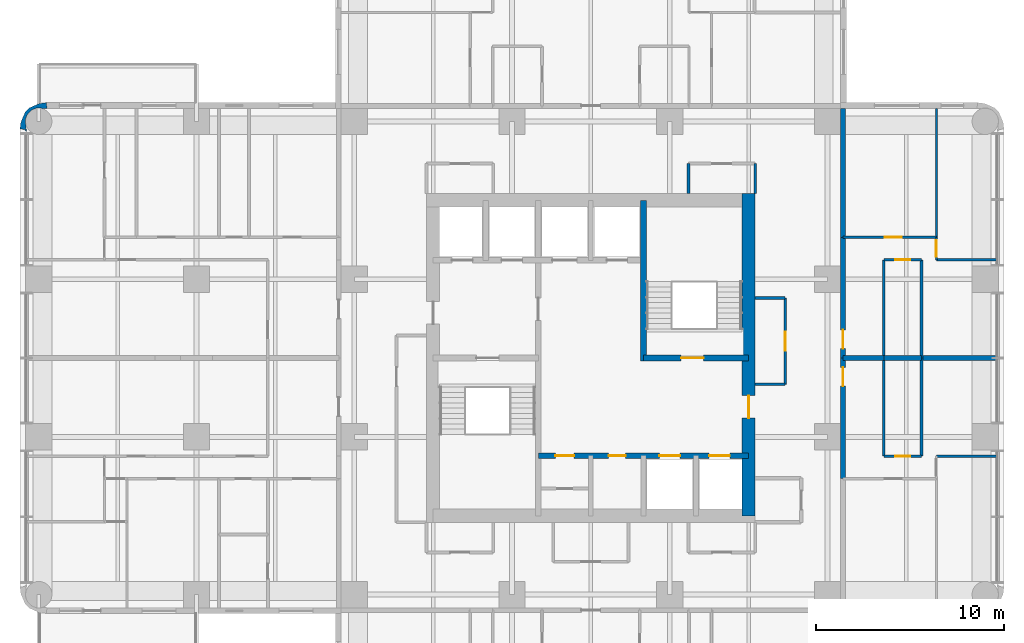
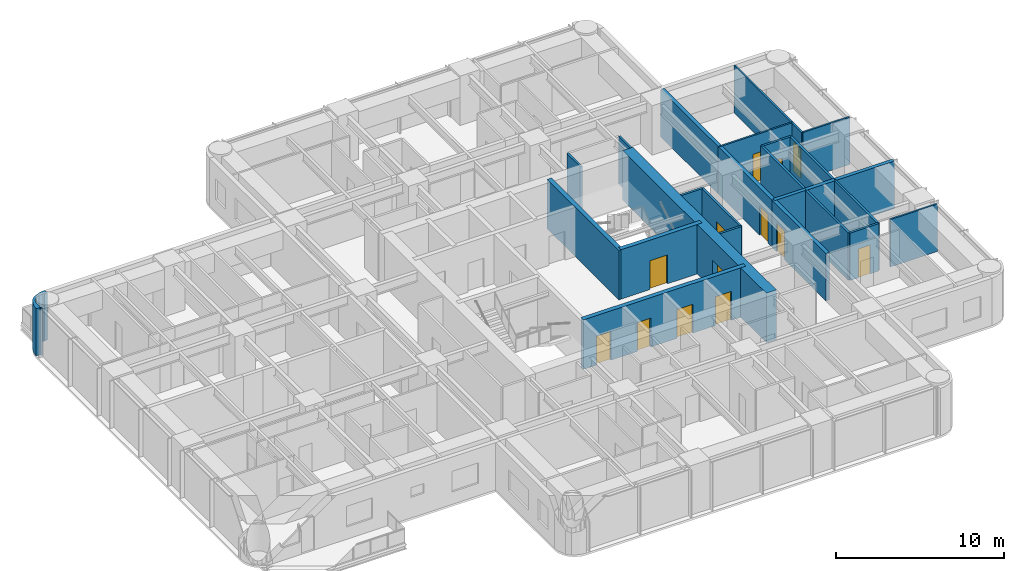
# One storey, part 8 of 11: 27 walls, 13 doors, 13 openings.
"""IFC4 building model written with IfcOpenShell, lengths in metres."""

import ifcopenshell
import ifcopenshell.guid

model = None  # the IFC model being written
_history = None  # IfcOwnerHistory: only IFC2X3 demands one
_inside = {}  # id of a spatial element -> (the spatial element, [elements in it])
_under = {}  # id of a project, library or spatial element -> (it, [spatial elements below it])
_declared = {}  # id of a project -> (the project, [libraries it declares])
_typed = {}  # id of a type object -> (the type object, [elements of that type])
_made_of = {}  # id of a material, layer set ... -> (it, [elements and type objects made of it])


def new_model(schema):
    """Start an empty IFC model of exactly this schema.

    Asked for "IFC4X3", IfcOpenShell would pick the latest addendum, in which some entities
    have other attributes; the version numbers below select the first issue.
    IFC2X3 requires an IfcOwnerHistory on every rooted entity: one is made here for all.
    """
    global model, _history
    if schema == "IFC4X3":
        model = ifcopenshell.file(schema_version=(4, 3, 0, 0))
    else:
        model = ifcopenshell.file(schema=schema)
    _inside.clear()
    _under.clear()
    _declared.clear()
    _typed.clear()
    _made_of.clear()
    _history = None
    if model.schema == "IFC2X3":
        org = make("IfcOrganization", Name="unknown")
        user = make(
            "IfcPersonAndOrganization",
            ThePerson=make("IfcPerson", FamilyName="unknown"),
            TheOrganization=org,
        )
        app = make(
            "IfcApplication",
            ApplicationDeveloper=org,
            Version="unknown",
            ApplicationFullName="unknown",
            ApplicationIdentifier="unknown",
        )
        _history = make(
            "IfcOwnerHistory",
            OwningUser=user,
            OwningApplication=app,
            ChangeAction="ADDED",
            CreationDate=0,
        )
    return model


def make(cls, **values):
    """One entity of the class cls with the attributes given. An attribute that is None is left unset."""
    return model.create_entity(
        cls, **{name: value for name, value in values.items() if value is not None}
    )


def rooted(cls, **values):
    """An entity with a GlobalId (a new one), such as an element, a storey or a relation."""
    return make(cls, GlobalId=ifcopenshell.guid.new(), OwnerHistory=_history, **values)


def si_unit(unit_type, name, prefix=None):
    """IfcSIUnit, for example si_unit("LENGTHUNIT", "METRE", prefix="MILLI")."""
    return make("IfcSIUnit", UnitType=unit_type, Prefix=prefix, Name=name)


def assignment(units):
    """IfcUnitAssignment: the units of a project."""
    return None if units is None else make("IfcUnitAssignment", Units=units)


def point(xyz):
    """IfcCartesianPoint."""
    return None if xyz is None else make("IfcCartesianPoint", Coordinates=xyz)


def direction(xyz):
    """IfcDirection."""
    return None if xyz is None else make("IfcDirection", DirectionRatios=xyz)


def frame(location, z_axis=None, x_axis=None):
    """IfcAxis2Placement3D, a coordinate frame: its origin and axes. An axis left out is left unset."""
    return make(
        "IfcAxis2Placement3D",
        Location=point(location),
        Axis=direction(z_axis),
        RefDirection=direction(x_axis),
    )


def frame_2d(location, x_axis=None):
    """IfcAxis2Placement2D, a coordinate frame in the plane: its origin and x axis."""
    return make(
        "IfcAxis2Placement2D", Location=point(location), RefDirection=direction(x_axis)
    )


def origin():
    """The frame at (0, 0, 0) with its axes left unset."""
    return frame((0.0, 0.0, 0.0))


def place(relative_to, where):
    """IfcLocalPlacement: puts the frame where relative to a parent placement (None: the world)."""
    return make(
        "IfcLocalPlacement", PlacementRelTo=relative_to, RelativePlacement=where
    )


def context(
    kind, dimensions, precision=None, world=None, true_north=None, identifier=None
):
    """IfcGeometricRepresentationContext, for example the 3D "Model" context."""
    return make(
        "IfcGeometricRepresentationContext",
        ContextIdentifier=identifier,
        ContextType=kind,
        CoordinateSpaceDimension=dimensions,
        Precision=precision,
        WorldCoordinateSystem=world,
        TrueNorth=true_north,
    )


def subcontext(parent, identifier, kind, view, scale=None):
    """IfcGeometricRepresentationSubContext, for example "Body" below "Model"."""
    return make(
        "IfcGeometricRepresentationSubContext",
        ContextIdentifier=identifier,
        ContextType=kind,
        ParentContext=parent,
        TargetScale=scale,
        TargetView=view,
    )


def project(units=None, contexts=None):
    """IfcProject with its units and contexts."""
    return rooted(
        "IfcProject",
        Name="project",
        RepresentationContexts=contexts,
        UnitsInContext=assignment(units),
    )


def spatial(cls, under=None, at=None, **own):
    """A site, building, storey or space (cls), placed at a placement, below another one or the project."""
    s = rooted(cls, ObjectPlacement=at, **own)
    if under is not None:
        _under.setdefault(under.id(), (under, []))[1].append(s)
    return s


def polyline(points):
    """IfcPolyline through the points."""
    return make("IfcPolyline", Points=[point(p) for p in points])


def profile(cls, at=None, kind="AREA", **sizes):
    """A parametric profile (cls). Its sizes go by their IFC names, for example OverallWidth=200.0."""
    return make(cls, ProfileType=kind, Position=at, **sizes)


def rectangle(**sizes):
    """IfcRectangleProfileDef."""
    return profile("IfcRectangleProfileDef", **sizes)


def outline(outer, holes=None, kind="AREA"):
    """IfcArbitraryClosedProfileDef: a profile drawn as a closed curve; with holes, ...WithVoids."""
    if holes is None:
        return make("IfcArbitraryClosedProfileDef", ProfileType=kind, OuterCurve=outer)
    return make(
        "IfcArbitraryProfileDefWithVoids",
        ProfileType=kind,
        OuterCurve=outer,
        InnerCurves=holes,
    )


def extrude(swept, where, along, depth):
    """IfcExtrudedAreaSolid: the profile swept, set in the frame where, extruded along a direction by depth."""
    return make(
        "IfcExtrudedAreaSolid",
        SweptArea=swept,
        Position=where,
        ExtrudedDirection=direction(along),
        Depth=depth,
    )


def shape(context_of_items, identifier, shape_type, items):
    """IfcShapeRepresentation: the items that make up one representation, for example the "Body"."""
    return make(
        "IfcShapeRepresentation",
        ContextOfItems=context_of_items,
        RepresentationIdentifier=identifier,
        RepresentationType=shape_type,
        Items=items,
    )


def material(Name=None, Category=None):
    """IfcMaterial."""
    return make("IfcMaterial", Name=Name, Category=Category)


def layer(
    of_material, thickness, ventilated=None, Name=None, Category=None, Priority=None
):
    """IfcMaterialLayer: one layer of a wall or slab, of a material (None: an air gap)."""
    return make(
        "IfcMaterialLayer",
        Material=of_material,
        LayerThickness=thickness,
        IsVentilated=ventilated,
        Name=Name,
        Category=Category,
        Priority=Priority,
    )


def layer_set(layers, Name=None):
    """IfcMaterialLayerSet."""
    return make("IfcMaterialLayerSet", MaterialLayers=layers, LayerSetName=Name)


def made_of(thing, what):
    """Note that an element or type object is made of a material, layer set ...; save() writes the relation."""
    if what is not None:
        _made_of.setdefault(what.id(), (what, []))[1].append(thing)
    return thing


def type_object(cls, material=None, **own):
    """A type object (cls), such as IfcWallType, which elements share."""
    return made_of(rooted(cls, **own), material)


def element(
    cls,
    number,
    at=None,
    inside=None,
    cuts=None,
    type_object=None,
    material=None,
    context=None,
    identifier="Body",
    shape_type=None,
    held_by="IfcProductDefinitionShape",
    body=None,
    shapes=None,
    **own,
):
    """One element of the class cls, such as IfcWall. Its Tag is "e" and its number.

    at: its placement. inside: the storey or other place that contains it. cuts: it is an
    opening in that element (IfcRelVoidsElement). A single representation is given by context,
    identifier, shape_type and body (its items); several are given by shapes. held_by: the class
    of the entity that holds the representations. save() writes the other relations.
    """
    e = rooted(cls, Tag="e%d" % number, ObjectPlacement=at, **own)
    if body is not None:
        shapes = [shape(context, identifier, shape_type, body)]
    if shapes is not None:
        e.Representation = make(held_by, Representations=shapes)
    if inside is not None:
        _inside.setdefault(inside.id(), (inside, []))[1].append(e)
    if cuts is not None:
        rooted(
            "IfcRelVoidsElement", RelatingBuildingElement=cuts, RelatedOpeningElement=e
        )
    if type_object is not None:
        _typed.setdefault(type_object.id(), (type_object, []))[1].append(e)
    return made_of(e, material)


def fill(opening, filler):
    """IfcRelFillsElement: the door or window that sits in an opening."""
    return rooted(
        "IfcRelFillsElement",
        RelatingOpeningElement=opening,
        RelatedBuildingElement=filler,
    )


def aggregate(whole, parts):
    """IfcRelAggregates: a whole, such as a stair, and the parts it consists of."""
    return rooted("IfcRelAggregates", RelatingObject=whole, RelatedObjects=parts)


def save(model, path):
    """Write the relations noted so far, then the file.

    IfcRelAggregates (storeys below a building ...), IfcRelContainedInSpatialStructure (elements
    in a storey), IfcRelDefinesByType, IfcRelAssociatesMaterial and IfcRelDeclares: one each for
    every whole, place, type object, material and project.
    """
    for whole, parts in _under.values():
        aggregate(whole, parts)
    for where, things in _inside.values():
        rooted(
            "IfcRelContainedInSpatialStructure",
            RelatedElements=things,
            RelatingStructure=where,
        )
    for kind, things in _typed.values():
        rooted("IfcRelDefinesByType", RelatedObjects=things, RelatingType=kind)
    for what, things in _made_of.values():
        rooted("IfcRelAssociatesMaterial", RelatedObjects=things, RelatingMaterial=what)
    for by, libraries in _declared.values():
        rooted("IfcRelDeclares", RelatingContext=by, RelatedDefinitions=libraries)
    model.write(path)


model = new_model("IFC4")

# Units and contexts
model_context = context("Model", 3, precision=1e-05, world=origin(), true_north=direction((0.0, 1.0)))
body_context = subcontext(model_context, "Body", "Model", "MODEL_VIEW")
ifc_project = project(units=[si_unit("LENGTHUNIT", "METRE"), si_unit("AREAUNIT", "SQUARE_METRE"), si_unit("VOLUMEUNIT", "CUBIC_METRE"), si_unit("PLANEANGLEUNIT", "RADIAN"), si_unit("MASSUNIT", "GRAM", prefix="KILO")], contexts=[model_context])

# Site, building, storey
site_placement = place(None, origin())
site = spatial("IfcSite", under=ifc_project, at=site_placement, CompositionType="ELEMENT")
building_placement = place(site_placement, origin())
building = spatial("IfcBuilding", under=site, at=building_placement, Name="Torre Alcanfor", CompositionType="ELEMENT")
storey_placement = place(building_placement, frame((0.0, 0.0, 197.699951171875)))
storey = spatial("IfcBuildingStorey", under=building, at=storey_placement, Name="L51", CompositionType="ELEMENT", Elevation=197.699951171875)

# Wall, opening, door
ifc_material_1 = material(Name="Concrete block masonry, hollow blocks NMX-C-404 9 MPa", Category="masonry")
ifc_layer_1 = layer(ifc_material_1, 0.25)
ifc_layer_set_1 = layer_set([ifc_layer_1], Name="Apartment entrance wall 250 EI 60")
wall_type_1 = type_object("IfcWallType", Name="Apartment entrance wall 250 EI 60", PredefinedType="PARTITIONING", material=ifc_layer_set_1)
wall_1_placement = place(storey_placement, frame((42.824951171875, 35.8291015625, 0.0), z_axis=(0.0, 0.0, 1.0), x_axis=(0.0, -1.0, 0.0)))
wall_1 = element("IfcWall", 1, at=wall_1_placement, inside=storey, type_object=wall_type_1, Name="Partition L51-CORR / L51-E1-LIVING", PredefinedType="PARTITIONING", context=body_context, shape_type="SweptSolid", body=[
    extrude(rectangle(XDim=6.42919921875, YDim=0.25, at=frame_2d((3.214599609375, 0.0))), origin(), (0.0, 0.0, 1.0), 3.449951171875),
])
opening_1_placement = place(wall_1_placement, frame((4.928955078125, 0.0, 0.0)))
opening_1 = element("IfcOpeningElement", 2, at=opening_1_placement, cuts=wall_1, Name="Opening D-A1", PredefinedType="OPENING", context=body_context, shape_type="SweptSolid", body=[
    extrude(rectangle(XDim=1.0, YDim=2.10009765625, at=frame_2d((0.5, 1.050048828125))), frame((0.0, 0.135009765625, 0.0), z_axis=(0.0, -1.0, 0.0), x_axis=(1.0, 0.0, 0.0)), (0.0, 0.0, 1.0), 0.27001953125),
])
ifc_material_2 = material(Name="Galvanised steel sheet ASTM A653", Category="steel")
door_type_1 = type_object("IfcDoorType", Name="Apartment entrance door FD60 1000x2100", OperationType="SINGLE_SWING_LEFT", PredefinedType="DOOR", material=ifc_material_2)
door_1_placement = place(opening_1_placement, origin())
door_1 = element("IfcDoor", 3, at=door_1_placement, inside=storey, type_object=door_type_1, Name="Apartment entrance L51-E1", OperationType="SINGLE_SWING_RIGHT", OverallHeight=2.10009765625, OverallWidth=1.0, PredefinedType="DOOR", context=body_context, shape_type="SweptSolid", body=[
    extrude(rectangle(XDim=1.0, YDim=2.10009765625, at=frame_2d((0.5, 1.050048828125))), frame((0.0, 0.02490234375, 0.0), z_axis=(0.0, -1.0, 0.0), x_axis=(1.0, 0.0, 0.0)), (0.0, 0.0, 1.0), 0.050048828125),
])
fill(opening_1, door_1)

# Wall
wall_2_placement = place(storey_placement, frame((42.824951171875, 42.699951171875, 0.0), z_axis=(0.0, 0.0, 1.0), x_axis=(0.0, -1.0, 0.0)))
element("IfcWall", 4, at=wall_2_placement, inside=storey, type_object=wall_type_1, Name="Partition L51-CORR / L51-E1-BED2", PredefinedType="PARTITIONING", context=body_context, shape_type="SweptSolid", body=[
    extrude(rectangle(XDim=6.870849609375, YDim=0.25, at=frame_2d((3.435546875, 0.0))), origin(), (0.0, 0.0, 1.0), 3.449951171875),
])

# Wall, opening, door
wall_3_placement = place(storey_placement, frame((42.824951171875, 29.39990234375, 0.0), z_axis=(0.0, 0.0, 1.0), x_axis=(0.0, -1.0, 0.0)))
wall_3 = element("IfcWall", 5, at=wall_3_placement, inside=storey, type_object=wall_type_1, Name="Partition L51-CORR / L51-E2-LIVING", PredefinedType="PARTITIONING", context=body_context, shape_type="SweptSolid", body=[
    extrude(rectangle(XDim=6.428955078125, YDim=0.25, at=frame_2d((3.21435546875, 0.0))), origin(), (0.0, 0.0, 1.0), 3.449951171875),
])
opening_2_placement = place(wall_3_placement, frame((0.5, 0.0, 0.0)))
opening_2 = element("IfcOpeningElement", 6, at=opening_2_placement, cuts=wall_3, Name="Opening D-A1", PredefinedType="OPENING", context=body_context, shape_type="SweptSolid", body=[
    extrude(rectangle(XDim=1.0, YDim=2.10009765625, at=frame_2d((0.5, 1.050048828125))), frame((0.0, 0.135009765625, 0.0), z_axis=(0.0, -1.0, 0.0), x_axis=(1.0, 0.0, 0.0)), (0.0, 0.0, 1.0), 0.27001953125),
])
door_2_placement = place(opening_2_placement, origin())
door_2 = element("IfcDoor", 7, at=door_2_placement, inside=storey, type_object=door_type_1, Name="Apartment entrance L51-E2", OperationType="SINGLE_SWING_LEFT", OverallHeight=2.10009765625, OverallWidth=1.0, PredefinedType="DOOR", context=body_context, shape_type="SweptSolid", body=[
    extrude(rectangle(XDim=1.0, YDim=2.10009765625, at=frame_2d((0.5, 1.050048828125))), frame((0.0, 0.02490234375, 0.0), z_axis=(0.0, -1.0, 0.0), x_axis=(1.0, 0.0, 0.0)), (0.0, 0.0, 1.0), 0.050048828125),
])
fill(opening_2, door_2)

ifc_material_3 = material(Name="Gypsum board on steel studs", Category="steel")
ifc_layer_2 = layer(ifc_material_3, 0.1201171875)
ifc_layer_set_2 = layer_set([ifc_layer_2], Name="Apartment partition 120")
wall_type_2 = type_object("IfcWallType", Name="Apartment partition 120", PredefinedType="PARTITIONING", material=ifc_layer_set_2)
wall_4_placement = place(storey_placement, frame((42.824951171875, 35.8291015625, 0.0), z_axis=(0.0, 0.0, 1.0), x_axis=(1.0, 0.0, 0.0)))
wall_4 = element("IfcWall", 8, at=wall_4_placement, inside=storey, type_object=wall_type_2, Name="Partition L51-E1-LIVING / L51-E1-BED2", PredefinedType="PARTITIONING", context=body_context, shape_type="SweptSolid", body=[
    extrude(rectangle(XDim=4.97509765625, YDim=0.1201171875, at=frame_2d((2.487548828125, 0.0))), origin(), (0.0, 0.0, 1.0), 3.449951171875),
])
opening_3_placement = place(wall_4_placement, frame((2.22509765625, 0.0, 0.0)))
opening_3 = element("IfcOpeningElement", 9, at=opening_3_placement, cuts=wall_4, Name="Opening D-R1", PredefinedType="OPENING", context=body_context, shape_type="SweptSolid", body=[
    extrude(rectangle(XDim=0.89990234375, YDim=2.10009765625, at=frame_2d((0.449951171875, 1.050048828125))), frame((0.0, 0.070068359375, 0.0), z_axis=(0.0, -1.0, 0.0), x_axis=(1.0, 0.0, 0.0)), (0.0, 0.0, 1.0), 0.14013671875),
])
ifc_material_4 = material(Name="Timber", Category="wood")
door_type_2 = type_object("IfcDoorType", Name="Internal door 900x2100", OperationType="SINGLE_SWING_LEFT", PredefinedType="DOOR", material=ifc_material_4)
door_3_placement = place(opening_3_placement, origin())
door_3 = element("IfcDoor", 10, at=door_3_placement, inside=storey, type_object=door_type_2, Name="Door L51-E1 bed2", OperationType="SINGLE_SWING_RIGHT", OverallHeight=2.10009765625, OverallWidth=0.89990234375, PredefinedType="DOOR", context=body_context, shape_type="SweptSolid", body=[
    extrude(rectangle(XDim=0.89990234375, YDim=2.10009765625, at=frame_2d((0.449951171875, 1.050048828125))), frame((0.0, 0.02490234375, 0.0), z_axis=(0.0, -1.0, 0.0), x_axis=(1.0, 0.0, 0.0)), (0.0, 0.0, 1.0), 0.050048828125),
])
fill(opening_3, door_3)

wall_5_placement = place(storey_placement, frame((47.800048828125, 35.8291015625, 0.0), z_axis=(0.0, 0.0, 1.0), x_axis=(0.0, -1.0, 0.0)))
wall_5 = element("IfcWall", 11, at=wall_5_placement, inside=storey, type_object=wall_type_2, Name="Partition L51-E1-LIVING / L51-E1-MASTER", PredefinedType="PARTITIONING", context=body_context, shape_type="SweptSolid", body=[
    extrude(rectangle(XDim=1.2001953125, YDim=0.1201171875, at=frame_2d((0.60009765625, 0.0))), origin(), (0.0, 0.0, 1.0), 3.449951171875),
])
opening_4_placement = place(wall_5_placement, frame((0.14892578125, 0.0, 0.0)))
opening_4 = element("IfcOpeningElement", 12, at=opening_4_placement, cuts=wall_5, Name="Opening D-R1", PredefinedType="OPENING", context=body_context, shape_type="SweptSolid", body=[
    extrude(rectangle(XDim=0.89990234375, YDim=2.10009765625, at=frame_2d((0.449951171875, 1.050048828125))), frame((0.0, 0.070068359375, 0.0), z_axis=(0.0, -1.0, 0.0), x_axis=(1.0, 0.0, 0.0)), (0.0, 0.0, 1.0), 0.14013671875),
])
door_4_placement = place(opening_4_placement, origin())
door_4 = element("IfcDoor", 13, at=door_4_placement, inside=storey, type_object=door_type_2, Name="Door L51-E1 master", OperationType="SINGLE_SWING_RIGHT", OverallHeight=2.10009765625, OverallWidth=0.89990234375, PredefinedType="DOOR", context=body_context, shape_type="SweptSolid", body=[
    extrude(rectangle(XDim=0.89990234375, YDim=2.10009765625, at=frame_2d((0.449951171875, 1.050048828125))), frame((0.0, 0.02490234375, 0.0), z_axis=(0.0, -1.0, 0.0), x_axis=(1.0, 0.0, 0.0)), (0.0, 0.0, 1.0), 0.050048828125),
])
fill(opening_4, door_4)

# Walls
wall_6_placement = place(storey_placement, frame((47.800048828125, 34.62890625, 0.0), z_axis=(0.0, 0.0, 1.0), x_axis=(1.0, 0.0, 0.0)))
element("IfcWall", 14, at=wall_6_placement, inside=storey, type_object=wall_type_2, Name="Partition L51-E1-LIVING / L51-E1-MASTER", PredefinedType="PARTITIONING", context=body_context, shape_type="SweptSolid", body=[
    extrude(rectangle(XDim=3.25, YDim=0.1201171875, at=frame_2d((1.625, 0.0))), origin(), (0.0, 0.0, 1.0), 3.449951171875),
])
wall_7_placement = place(storey_placement, frame((47.800048828125, 35.8291015625, 0.0), z_axis=(0.0, 0.0, 1.0), x_axis=(0.0, 1.0, 0.0)))
element("IfcWall", 15, at=wall_7_placement, inside=storey, type_object=wall_type_2, Name="Partition L51-E1-BED2 / L51-E1-MASTER", PredefinedType="PARTITIONING", context=body_context, shape_type="SweptSolid", body=[
    extrude(rectangle(XDim=6.870849609375, YDim=0.1201171875, at=frame_2d((3.435546875, 0.0))), origin(), (0.0, 0.0, 1.0), 3.449951171875),
])
wall_8_placement = place(storey_placement, frame((51.050048828125, 24.1708984375, 0.0), z_axis=(0.0, 0.0, 1.0), x_axis=(-1.0, 0.0, 0.0)))
element("IfcWall", 16, at=wall_8_placement, inside=storey, type_object=wall_type_2, Name="Partition L51-E2-LIVING / L51-E2-MASTER", PredefinedType="PARTITIONING", context=body_context, shape_type="SweptSolid", body=[
    extrude(rectangle(XDim=3.25, YDim=0.1201171875, at=frame_2d((1.625, 0.0))), origin(), (0.0, 0.0, 1.0), 3.449951171875),
])

# Wall, openings, doors
ifc_material_5 = material(Name="Concrete f'c 70 MPa", Category="concrete")
ifc_layer_3 = layer(ifc_material_5, 0.300048828125)
ifc_layer_set_3 = layer_set([ifc_layer_3], Name="Core inner wall 300 f'c70")
wall_type_3 = type_object("IfcWallType", Name="Core inner wall 300 f'c70", PredefinedType="SHEAR", material=ifc_layer_set_3)
wall_9_placement = place(storey_placement, frame((26.60009765625, 24.199951171875, 0.0), z_axis=(0.0, 0.0, 1.0), x_axis=(1.0, 0.0, 0.0)))
wall_9 = element("IfcWall", 17, at=wall_9_placement, inside=storey, type_object=wall_type_3, Name="Core wall Y242 L51", PredefinedType="SHEAR", context=body_context, shape_type="SweptSolid", body=[
    extrude(rectangle(XDim=11.199951171875, YDim=0.300048828125, at=frame_2d((5.60009765625, 0.0))), origin(), (0.0, 0.0, 1.0), 3.60009765625),
])
opening_5_placement = place(wall_9_placement, frame((0.91259765625, 0.0, 0.0)))
opening_5 = element("IfcOpeningElement", 18, at=opening_5_placement, cuts=wall_9, Name="Opening D-K1", PredefinedType="OPENING", context=body_context, shape_type="SweptSolid", body=[
    extrude(rectangle(XDim=1.0, YDim=2.10009765625, at=frame_2d((0.5, 1.050048828125))), frame((0.0, 0.159912109375, 0.0), z_axis=(0.0, -1.0, 0.0), x_axis=(1.0, 0.0, 0.0)), (0.0, 0.0, 1.0), 0.320068359375),
])
opening_6_placement = place(wall_9_placement, frame((3.75, 0.0, 0.0)))
opening_6 = element("IfcOpeningElement", 19, at=opening_6_placement, cuts=wall_9, Name="Opening D-Q1", PredefinedType="OPENING", context=body_context, shape_type="SweptSolid", body=[
    extrude(rectangle(XDim=0.89990234375, YDim=2.10009765625, at=frame_2d((0.449951171875, 1.050048828125))), frame((0.0, 0.159912109375, 0.0), z_axis=(0.0, -1.0, 0.0), x_axis=(1.0, 0.0, 0.0)), (0.0, 0.0, 1.0), 0.320068359375),
])
opening_7_placement = place(wall_9_placement, frame((6.449951171875, 0.0, 0.0)))
opening_7 = element("IfcOpeningElement", 20, at=opening_7_placement, cuts=wall_9, Name="Opening LD1", PredefinedType="OPENING", context=body_context, shape_type="SweptSolid", body=[
    extrude(rectangle(XDim=1.10009765625, YDim=2.10009765625, at=frame_2d((0.550048828125, 1.050048828125))), frame((0.0, 0.159912109375, 0.0), z_axis=(0.0, -1.0, 0.0), x_axis=(1.0, 0.0, 0.0)), (0.0, 0.0, 1.0), 0.320068359375),
])
opening_8_placement = place(wall_9_placement, frame((9.10009765625, 0.0, 0.0)))
opening_8 = element("IfcOpeningElement", 21, at=opening_8_placement, cuts=wall_9, Name="Opening LD1", PredefinedType="OPENING", context=body_context, shape_type="SweptSolid", body=[
    extrude(rectangle(XDim=1.10009765625, YDim=2.10009765625, at=frame_2d((0.550048828125, 1.050048828125))), frame((0.0, 0.159912109375, 0.0), z_axis=(0.0, -1.0, 0.0), x_axis=(1.0, 0.0, 0.0)), (0.0, 0.0, 1.0), 0.320068359375),
])
ifc_material_6 = material(Name="Galvanised steel sheet ASTM A653", Category="steel")
door_type_3 = type_object("IfcDoorType", Name="Core room door FD60 1000x2100", OperationType="SINGLE_SWING_LEFT", PredefinedType="DOOR", material=ifc_material_6)
door_5_placement = place(opening_5_placement, frame((1.0, 0.0, 0.0), z_axis=(0.0, 0.0, 1.0), x_axis=(-1.0, 0.0, 0.0)))
door_5 = element("IfcDoor", 22, at=door_5_placement, inside=storey, type_object=door_type_3, Name="Cleaners' store door L51", OperationType="SINGLE_SWING_RIGHT", OverallHeight=2.10009765625, OverallWidth=1.0, PredefinedType="DOOR", context=body_context, shape_type="SweptSolid", body=[
    extrude(rectangle(XDim=1.0, YDim=2.10009765625, at=frame_2d((0.5, 1.050048828125))), frame((0.0, 0.025146484375, 0.0), z_axis=(0.0, -1.0, 0.0), x_axis=(1.0, 0.0, 0.0)), (0.0, 0.0, 1.0), 0.050048828125),
])
fill(opening_5, door_5)
ifc_material_7 = material(Name="Galvanised steel sheet ASTM A653", Category="steel")
door_type_4 = type_object("IfcDoorType", Name="Lift landing door 1100x2100", OperationType="DOUBLE_DOOR_SLIDING", PredefinedType="DOOR", material=ifc_material_7)
door_6_placement = place(opening_7_placement, origin())
door_6 = element("IfcDoor", 23, at=door_6_placement, inside=storey, type_object=door_type_4, Name="Lift landing door PA3 L51", OperationType="DOUBLE_DOOR_SLIDING", OverallHeight=2.10009765625, OverallWidth=1.10009765625, PredefinedType="DOOR", context=body_context, shape_type="SweptSolid", body=[
    extrude(rectangle(XDim=1.10009765625, YDim=2.10009765625, at=frame_2d((0.550048828125, 1.050048828125))), frame((0.0, 0.02490234375, 0.0), z_axis=(0.0, -1.0, 0.0), x_axis=(1.0, 0.0, 0.0)), (0.0, 0.0, 1.0), 0.050048828125),
])
fill(opening_7, door_6)
door_7_placement = place(opening_8_placement, origin())
door_7 = element("IfcDoor", 24, at=door_7_placement, inside=storey, type_object=door_type_4, Name="Lift landing door PA4 L51", OperationType="DOUBLE_DOOR_SLIDING", OverallHeight=2.10009765625, OverallWidth=1.10009765625, PredefinedType="DOOR", context=body_context, shape_type="SweptSolid", body=[
    extrude(rectangle(XDim=1.10009765625, YDim=2.10009765625, at=frame_2d((0.550048828125, 1.050048828125))), frame((0.0, 0.02490234375, 0.0), z_axis=(0.0, -1.0, 0.0), x_axis=(1.0, 0.0, 0.0)), (0.0, 0.0, 1.0), 0.050048828125),
])
fill(opening_8, door_7)
ifc_material_8 = material(Name="Galvanised steel sheet ASTM A653", Category="steel")
door_type_5 = type_object("IfcDoorType", Name="Riser access door FD120 900x2100", OperationType="SINGLE_SWING_LEFT", PredefinedType="DOOR", material=ifc_material_8)
door_8_placement = place(opening_6_placement, frame((0.89990234375, 0.0, 0.0), z_axis=(0.0, 0.0, 1.0), x_axis=(-1.0, 0.0, 0.0)))
door_8 = element("IfcDoor", 25, at=door_8_placement, inside=storey, type_object=door_type_5, Name="Riser door L51", OperationType="SINGLE_SWING_RIGHT", OverallHeight=2.10009765625, OverallWidth=0.89990234375, PredefinedType="DOOR", context=body_context, shape_type="SweptSolid", body=[
    extrude(rectangle(XDim=0.89990234375, YDim=2.10009765625, at=frame_2d((0.449951171875, 1.050048828125))), frame((0.0, 0.025146484375, 0.0), z_axis=(0.0, -1.0, 0.0), x_axis=(1.0, 0.0, 0.0)), (0.0, 0.0, 1.0), 0.050048828125),
])
fill(opening_6, door_8)

# Wall
wall_10_placement = place(storey_placement, frame((32.199951171875, 29.25, 0.0), z_axis=(0.0, 0.0, 1.0), x_axis=(0.0, 1.0, 0.0)))
element("IfcWall", 26, at=wall_10_placement, inside=storey, type_object=wall_type_3, Name="Core wall X322N L51", PredefinedType="SHEAR", context=body_context, shape_type="SweptSolid", body=[
    extrude(rectangle(XDim=8.550048828125, YDim=0.300048828125, at=frame_2d((4.27490234375, 0.0))), origin(), (0.0, 0.0, 1.0), 3.60009765625),
])

# Wall, opening, door
wall_11_placement = place(storey_placement, frame((32.199951171875, 29.39990234375, 0.0), z_axis=(0.0, 0.0, 1.0), x_axis=(1.0, 0.0, 0.0)))
wall_11 = element("IfcWall", 27, at=wall_11_placement, inside=storey, type_object=wall_type_3, Name="Core wall Y294E L51", PredefinedType="SHEAR", context=body_context, shape_type="SweptSolid", body=[
    extrude(rectangle(XDim=5.60009765625, YDim=0.300048828125, at=frame_2d((2.800048828125, 0.0))), origin(), (0.0, 0.0, 1.0), 3.60009765625),
])
opening_9_placement = place(wall_11_placement, frame((2.0, 0.0, 0.0)))
opening_9 = element("IfcOpeningElement", 28, at=opening_9_placement, cuts=wall_11, Name="Opening D-S2", PredefinedType="OPENING", context=body_context, shape_type="SweptSolid", body=[
    extrude(rectangle(XDim=1.199951171875, YDim=2.10009765625, at=frame_2d((0.60009765625, 1.050048828125))), frame((0.0, 0.159912109375, 0.0), z_axis=(0.0, -1.0, 0.0), x_axis=(1.0, 0.0, 0.0)), (0.0, 0.0, 1.0), 0.320068359375),
])
ifc_material_9 = material(Name="Galvanised steel sheet ASTM A653", Category="steel")
door_type_6 = type_object("IfcDoorType", Name="Stair enclosure door FD120 1200x2100", OperationType="SINGLE_SWING_LEFT", PredefinedType="DOOR", material=ifc_material_9)
door_9_placement = place(opening_9_placement, origin())
door_9 = element("IfcDoor", 29, at=door_9_placement, inside=storey, type_object=door_type_6, Name="Stair S2 door L51", OperationType="SINGLE_SWING_LEFT", OverallHeight=2.10009765625, OverallWidth=1.199951171875, PredefinedType="DOOR", context=body_context, shape_type="SweptSolid", body=[
    extrude(rectangle(XDim=1.199951171875, YDim=2.10009765625, at=frame_2d((0.60009765625, 1.050048828125))), frame((0.0, 0.02490234375, 0.0), z_axis=(0.0, -1.0, 0.0), x_axis=(1.0, 0.0, 0.0)), (0.0, 0.0, 1.0), 0.050048828125),
])
fill(opening_9, door_9)

ifc_material_10 = material(Name="Concrete f'c 70 MPa", Category="concrete")
ifc_layer_4 = layer(ifc_material_10, 0.699951171875)
ifc_layer_set_4 = layer_set([ifc_layer_4], Name="Core wall 700 f'c70")
wall_type_4 = type_object("IfcWallType", Name="Core wall 700 f'c70", PredefinedType="SHEAR", material=ifc_layer_set_4)
wall_12_placement = place(storey_placement, frame((37.800048828125, 21.0, 0.0), z_axis=(0.0, 0.0, 1.0), x_axis=(0.0, 1.0, 0.0)))
wall_12 = element("IfcWall", 30, at=wall_12_placement, inside=storey, type_object=wall_type_4, Name="Core wall OUT-E L51", PredefinedType="SHEAR", context=body_context, shape_type="SweptSolid", body=[
    extrude(rectangle(XDim=17.14990234375, YDim=0.699951171875, at=frame_2d((8.574951171875, 0.0))), origin(), (0.0, 0.0, 1.0), 3.60009765625),
])
opening_10_placement = place(wall_12_placement, frame((5.199951171875, 0.0, 0.0)))
opening_10 = element("IfcOpeningElement", 31, at=opening_10_placement, cuts=wall_12, Name="Opening D-L1", PredefinedType="OPENING", context=body_context, shape_type="SweptSolid", body=[
    extrude(rectangle(XDim=1.199951171875, YDim=2.10009765625, at=frame_2d((0.60009765625, 1.050048828125))), frame((0.0, 0.35986328125, 0.0), z_axis=(0.0, -1.0, 0.0), x_axis=(1.0, 0.0, 0.0)), (0.0, 0.0, 1.0), 0.719970703125),
])
ifc_material_11 = material(Name="Galvanised steel sheet ASTM A653", Category="steel")
door_type_7 = type_object("IfcDoorType", Name="Lobby door FD120 1200x2100", OperationType="SINGLE_SWING_LEFT", PredefinedType="DOOR", material=ifc_material_11)
door_10_placement = place(opening_10_placement, origin())
door_10 = element("IfcDoor", 32, at=door_10_placement, inside=storey, type_object=door_type_7, Name="Lift lobby entrance door L51", OperationType="SINGLE_SWING_LEFT", OverallHeight=2.10009765625, OverallWidth=1.199951171875, PredefinedType="DOOR", context=body_context, shape_type="SweptSolid", body=[
    extrude(rectangle(XDim=1.199951171875, YDim=2.10009765625, at=frame_2d((0.60009765625, 1.050048828125))), frame((0.0, 0.02490234375, 0.0), z_axis=(0.0, -1.0, 0.0), x_axis=(1.0, 0.0, 0.0)), (0.0, 0.0, 1.0), 0.050048828125),
])
fill(opening_10, door_10)

# Walls
ifc_material_12 = material(Name="Concrete block masonry, hollow blocks NMX-C-404 9 MPa", Category="masonry")
ifc_layer_5 = layer(ifc_material_12, 0.25)
ifc_layer_set_5 = layer_set([ifc_layer_5], Name="Party wall 250 EI 60")
wall_type_5 = type_object("IfcWallType", Name="Party wall 250 EI 60", PredefinedType="PARTITIONING", material=ifc_layer_set_5)
wall_13_placement = place(storey_placement, frame((45.0, 29.39990234375, 0.0), z_axis=(0.0, 0.0, 1.0), x_axis=(1.0, 0.0, 0.0)))
element("IfcWall", 33, at=wall_13_placement, inside=storey, type_object=wall_type_5, Name="Partition L51-E1-BATH / L51-E2-BATH", PredefinedType="PARTITIONING", context=body_context, shape_type="SweptSolid", body=[
    extrude(rectangle(XDim=2.0, YDim=0.25, at=frame_2d((1.0, 0.0))), origin(), (0.0, 0.0, 1.0), 3.449951171875),
])
wall_14_placement = place(storey_placement, frame((45.0, 29.39990234375, 0.0), z_axis=(0.0, 0.0, 1.0), x_axis=(-1.0, 0.0, 0.0)))
element("IfcWall", 34, at=wall_14_placement, inside=storey, type_object=wall_type_5, Name="Partition L51-E1-LIVING / L51-E2-LIVING", PredefinedType="PARTITIONING", context=body_context, shape_type="SweptSolid", body=[
    extrude(rectangle(XDim=2.175048828125, YDim=0.25, at=frame_2d((1.08740234375, 0.0))), origin(), (0.0, 0.0, 1.0), 3.449951171875),
])
wall_15_placement = place(storey_placement, frame((51.050048828125, 29.39990234375, 0.0), z_axis=(0.0, 0.0, 1.0), x_axis=(-1.0, 0.0, 0.0)))
element("IfcWall", 35, at=wall_15_placement, inside=storey, type_object=wall_type_5, Name="Partition L51-E1-LIVING / L51-E2-LIVING", PredefinedType="PARTITIONING", context=body_context, shape_type="SweptSolid", body=[
    extrude(rectangle(XDim=4.050048828125, YDim=0.25, at=frame_2d((2.02490234375, 0.0))), origin(), (0.0, 0.0, 1.0), 3.449951171875),
])
ifc_material_13 = material(Name="Concrete block masonry, hollow blocks NMX-C-404 9 MPa", Category="masonry")
ifc_layer_6 = layer(ifc_material_13, 0.14990234375)
ifc_layer_set_6 = layer_set([ifc_layer_6], Name="Residents' room partition 150")
wall_type_6 = type_object("IfcWallType", Name="Residents' room partition 150", PredefinedType="PARTITIONING", material=ifc_layer_set_6)
for number, where, z_axis, x_axis, name in (
    (36, (38.14990234375, 38.14990234375, 0.0), (0.0, 0.0, 1.0), (0.0, 1.0, 0.0), "Partition L51-CORR / L51-G02"),
    (37, (34.60009765625, 39.75, 0.0), (0.0, 0.0, 1.0), (0.0, -1.0, 0.0), "Partition L51-CORR / L51-G02"),
    (38, (38.14990234375, 28.0, 0.0), (0.0, 0.0, 1.0), (1.0, 0.0, 0.0), "Partition L51-CORR / L51-G04"),
):
    element("IfcWall", number, at=place(storey_placement, frame(where, z_axis=z_axis, x_axis=x_axis)), inside=storey, type_object=wall_type_6, Name=name, PredefinedType="PARTITIONING", context=body_context, shape_type="SweptSolid", body=[
        extrude(rectangle(XDim=1.60009765625, YDim=0.14990234375, at=frame_2d((0.800048828125, 0.0))), origin(), (0.0, 0.0, 1.0), 3.449951171875),
    ])

# Wall, opening, door
wall_16_placement = place(storey_placement, frame((39.75, 28.0, 0.0), z_axis=(0.0, 0.0, 1.0), x_axis=(0.0, 1.0, 0.0)))
wall_16 = element("IfcWall", 39, at=wall_16_placement, inside=storey, type_object=wall_type_6, Name="Partition L51-CORR / L51-G04", PredefinedType="PARTITIONING", context=body_context, shape_type="SweptSolid", body=[
    extrude(rectangle(XDim=4.60009765625, YDim=0.14990234375, at=frame_2d((2.300048828125, 0.0))), origin(), (0.0, 0.0, 1.0), 3.449951171875),
])
opening_11_placement = place(wall_16_placement, frame((1.800048828125, 0.0, 0.0)))
opening_11 = element("IfcOpeningElement", 40, at=opening_11_placement, cuts=wall_16, Name="Opening D-M1", PredefinedType="OPENING", context=body_context, shape_type="SweptSolid", body=[
    extrude(rectangle(XDim=1.0, YDim=2.10009765625, at=frame_2d((0.5, 1.050048828125))), frame((0.0, 0.0849609375, 0.0), z_axis=(0.0, -1.0, 0.0), x_axis=(1.0, 0.0, 0.0)), (0.0, 0.0, 1.0), 0.169921875),
])
ifc_material_14 = material(Name="Timber", Category="wood")
door_type_8 = type_object("IfcDoorType", Name="Residents' room door 1000x2100", OperationType="SINGLE_SWING_LEFT", PredefinedType="DOOR", material=ifc_material_14)
door_11_placement = place(opening_11_placement, origin())
door_11 = element("IfcDoor", 41, at=door_11_placement, inside=storey, type_object=door_type_8, Name="Door L51-G04 parcel room", OperationType="SINGLE_SWING_LEFT", OverallHeight=2.10009765625, OverallWidth=1.0, PredefinedType="DOOR", context=body_context, shape_type="SweptSolid", body=[
    extrude(rectangle(XDim=1.0, YDim=2.10009765625, at=frame_2d((0.5, 1.050048828125))), frame((0.0, 0.02490234375, 0.0), z_axis=(0.0, -1.0, 0.0), x_axis=(1.0, 0.0, 0.0)), (0.0, 0.0, 1.0), 0.050048828125),
])
fill(opening_11, door_11)

# Walls
wall_17_placement = place(storey_placement, frame((39.75, 32.60009765625, 0.0), z_axis=(0.0, 0.0, 1.0), x_axis=(-1.0, 0.0, 0.0)))
element("IfcWall", 42, at=wall_17_placement, inside=storey, type_object=wall_type_6, Name="Partition L51-CORR / L51-G04", PredefinedType="PARTITIONING", context=body_context, shape_type="SweptSolid", body=[
    extrude(rectangle(XDim=1.60009765625, YDim=0.14990234375, at=frame_2d((0.800048828125, 0.0))), origin(), (0.0, 0.0, 1.0), 3.449951171875),
])
ifc_material_15 = material(Name="Limestone cladding", Category="masonry")
ifc_layer_7 = layer(ifc_material_15, 0.0400390625, Name="Facing")
ifc_material_16 = material(Name="Ventilated air cavity")
ifc_layer_8 = layer(ifc_material_16, 0.02001953125, ventilated=True, Name="Ventilated joint")
ifc_material_17 = material(Name="Mineral wool insulation", Category="insulation")
ifc_layer_9 = layer(ifc_material_17, 0.10009765625, Name="Insulation")
ifc_material_18 = material(Name="Concrete f'c 35 MPa", Category="concrete")
ifc_layer_10 = layer(ifc_material_18, 0.139892578125, Name="Backing")
ifc_layer_set_7 = layer_set([ifc_layer_7, ifc_layer_8, ifc_layer_9, ifc_layer_10], Name="Rounded corner pier stone-clad 300")
wall_type_7 = type_object("IfcWallType", Name="Rounded corner pier stone-clad 300", PredefinedType="SOLIDWALL", material=ifc_layer_set_7)
wall_18_placement = place(storey_placement, frame((0.289684728, 42.724211819, 0.0), z_axis=(0.0, 0.0, 1.0), x_axis=(-0.898030234854, 0.439933741929, 0.0)))
element("IfcWall", 43, at=wall_18_placement, inside=storey, type_object=wall_type_7, Name="Corner pier L51 13", PredefinedType="SOLIDWALL", context=body_context, shape_type="SweptSolid", body=[
    extrude(outline(polyline([(-0.1451696260029872, -0.04410137667948781), (0.022349775089968618, -0.29615457307685267), (0.3267662274453961, -0.09401161193946184), (0.5684395137438579, 0.1801582341686725), (0.5775438768187978, 0.19875519044837203), (0.6998681881563861, 0.337520421761322), (0.8105897526086489, 0.6609052696654318), (0.798987005723323, 0.8455248862565916), (0.8031915983754734, 0.8657994419976891), (0.7802772818432999, 1.230559659021311), (0.6636401292003462, 1.5768643338748296), (0.426274926498842, 1.4970116570996908), (0.3818262033461368, 1.5361339555879763), (0.27609856791259557, 1.5721508582913652), (0.34924184873618547, 1.4228445619203098), (0.3919947529834039, 1.4437886731693554), (0.4531844604451624, 1.2611683721887113), (0.5096660727895201, 1.2113572307370708), (0.632323380719828, 0.9609786838123349), (0.6499334439144826, 0.6825189735513317), (0.5596785928912745, 0.41891132480525434), (0.37509146330548054, 0.2096805523179385), (0.12471291638074464, 0.0870232443876307), (0.04955403003282338, 0.08228360846554762), (-0.12741072731568104, -0.035401515083730434), (-0.1451696260029872, -0.04410137667948781)])), origin(), (0.0, 0.0, 1.0), 3.449951171875),
])
ifc_material_19 = material(Name="Cement board on steel studs", Category="steel")
ifc_layer_11 = layer(ifc_material_19, 0.14990234375)
ifc_layer_set_8 = layer_set([ifc_layer_11], Name="Wet area partition 150")
wall_type_8 = type_object("IfcWallType", Name="Wet area partition 150", PredefinedType="PARTITIONING", material=ifc_layer_set_8)
wall_19_placement = place(storey_placement, frame((47.0, 29.39990234375, 0.0), z_axis=(0.0, 0.0, 1.0), x_axis=(0.0, 1.0, 0.0)))
element("IfcWall", 44, at=wall_19_placement, inside=storey, type_object=wall_type_8, Name="Partition L51-E1-BATH / L51-E1-LIVING", PredefinedType="PARTITIONING", context=body_context, shape_type="SweptSolid", body=[
    extrude(rectangle(XDim=5.22900390625, YDim=0.14990234375, at=frame_2d((2.614501953125, 0.0))), origin(), (0.0, 0.0, 1.0), 3.449951171875),
])

# Wall, opening, door
wall_20_placement = place(storey_placement, frame((47.0, 34.62890625, 0.0), z_axis=(0.0, 0.0, 1.0), x_axis=(-1.0, 0.0, 0.0)))
wall_20 = element("IfcWall", 45, at=wall_20_placement, inside=storey, type_object=wall_type_8, Name="Partition L51-E1-BATH / L51-E1-LIVING", PredefinedType="PARTITIONING", context=body_context, shape_type="SweptSolid", body=[
    extrude(rectangle(XDim=2.0, YDim=0.14990234375, at=frame_2d((1.0, 0.0))), origin(), (0.0, 0.0, 1.0), 3.449951171875),
])
opening_12_placement = place(wall_20_placement, frame((0.60009765625, 0.0, 0.0)))
opening_12 = element("IfcOpeningElement", 46, at=opening_12_placement, cuts=wall_20, Name="Opening D-R2", PredefinedType="OPENING", context=body_context, shape_type="SweptSolid", body=[
    extrude(rectangle(XDim=0.800048828125, YDim=2.10009765625, at=frame_2d((0.39990234375, 1.050048828125))), frame((0.0, 0.0849609375, 0.0), z_axis=(0.0, -1.0, 0.0), x_axis=(1.0, 0.0, 0.0)), (0.0, 0.0, 1.0), 0.169921875),
])
ifc_material_20 = material(Name="Timber", Category="wood")
door_type_9 = type_object("IfcDoorType", Name="Bathroom door 800x2100", OperationType="SINGLE_SWING_LEFT", PredefinedType="DOOR", material=ifc_material_20)
door_12_placement = place(opening_12_placement, origin())
door_12 = element("IfcDoor", 47, at=door_12_placement, inside=storey, type_object=door_type_9, Name="Door L51-E1 bath", OperationType="SINGLE_SWING_LEFT", OverallHeight=2.10009765625, OverallWidth=0.800048828125, PredefinedType="DOOR", context=body_context, shape_type="SweptSolid", body=[
    extrude(rectangle(XDim=0.800048828125, YDim=2.10009765625, at=frame_2d((0.39990234375, 1.050048828125))), frame((0.0, 0.02490234375, 0.0), z_axis=(0.0, -1.0, 0.0), x_axis=(1.0, 0.0, 0.0)), (0.0, 0.0, 1.0), 0.050048828125),
])
fill(opening_12, door_12)

# Walls
for number, where, z_axis, x_axis, name in (
    (48, (45.0, 34.62890625, 0.0), (0.0, 0.0, 1.0), (0.0, -1.0, 0.0), "Partition L51-E1-BATH / L51-E1-LIVING"),
    (49, (47.0, 29.39990234375, 0.0), (0.0, 0.0, 1.0), (0.0, -1.0, 0.0), "Partition L51-E2-BATH / L51-E2-LIVING"),
):
    element("IfcWall", number, at=place(storey_placement, frame(where, z_axis=z_axis, x_axis=x_axis)), inside=storey, type_object=wall_type_8, Name=name, PredefinedType="PARTITIONING", context=body_context, shape_type="SweptSolid", body=[
        extrude(rectangle(XDim=5.22900390625, YDim=0.14990234375, at=frame_2d((2.614501953125, 0.0))), origin(), (0.0, 0.0, 1.0), 3.449951171875),
    ])

# Wall, opening, door
wall_21_placement = place(storey_placement, frame((47.0, 24.1708984375, 0.0), z_axis=(0.0, 0.0, 1.0), x_axis=(-1.0, 0.0, 0.0)))
wall_21 = element("IfcWall", 50, at=wall_21_placement, inside=storey, type_object=wall_type_8, Name="Partition L51-E2-BATH / L51-E2-LIVING", PredefinedType="PARTITIONING", context=body_context, shape_type="SweptSolid", body=[
    extrude(rectangle(XDim=2.0, YDim=0.14990234375, at=frame_2d((1.0, 0.0))), origin(), (0.0, 0.0, 1.0), 3.449951171875),
])
opening_13_placement = place(wall_21_placement, frame((0.60009765625, 0.0, 0.0)))
opening_13 = element("IfcOpeningElement", 51, at=opening_13_placement, cuts=wall_21, Name="Opening D-R2", PredefinedType="OPENING", context=body_context, shape_type="SweptSolid", body=[
    extrude(rectangle(XDim=0.800048828125, YDim=2.10009765625, at=frame_2d((0.39990234375, 1.050048828125))), frame((0.0, 0.0849609375, 0.0), z_axis=(0.0, -1.0, 0.0), x_axis=(1.0, 0.0, 0.0)), (0.0, 0.0, 1.0), 0.169921875),
])
door_13_placement = place(opening_13_placement, frame((0.800048828125, 0.0, 0.0), z_axis=(0.0, 0.0, 1.0), x_axis=(-1.0, 0.0, 0.0)))
door_13 = element("IfcDoor", 52, at=door_13_placement, inside=storey, type_object=door_type_9, Name="Door L51-E2 bath", OperationType="SINGLE_SWING_RIGHT", OverallHeight=2.10009765625, OverallWidth=0.800048828125, PredefinedType="DOOR", context=body_context, shape_type="SweptSolid", body=[
    extrude(rectangle(XDim=0.800048828125, YDim=2.10009765625, at=frame_2d((0.400146484375, 1.050048828125))), frame((0.0, 0.025146484375, 0.0), z_axis=(0.0, -1.0, 0.0), x_axis=(1.0, 0.0, 0.0)), (0.0, 0.0, 1.0), 0.050048828125),
])
fill(opening_13, door_13)

# Wall
wall_22_placement = place(storey_placement, frame((45.0, 24.1708984375, 0.0), z_axis=(0.0, 0.0, 1.0), x_axis=(0.0, 1.0, 0.0)))
element("IfcWall", 53, at=wall_22_placement, inside=storey, type_object=wall_type_8, Name="Partition L51-E2-BATH / L51-E2-LIVING", PredefinedType="PARTITIONING", context=body_context, shape_type="SweptSolid", body=[
    extrude(rectangle(XDim=5.22900390625, YDim=0.14990234375, at=frame_2d((2.614501953125, 0.0))), origin(), (0.0, 0.0, 1.0), 3.449951171875),
])

save(model, "model.ifc")
